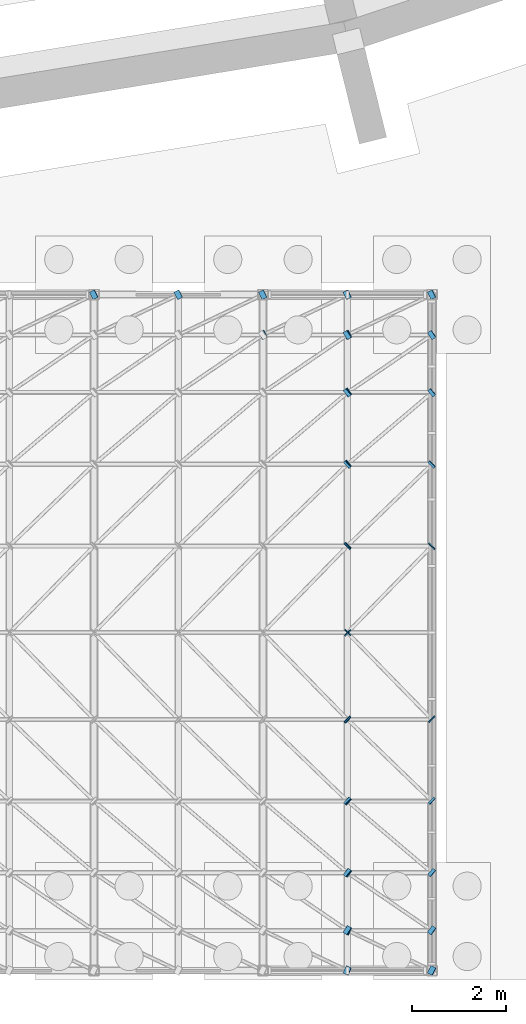
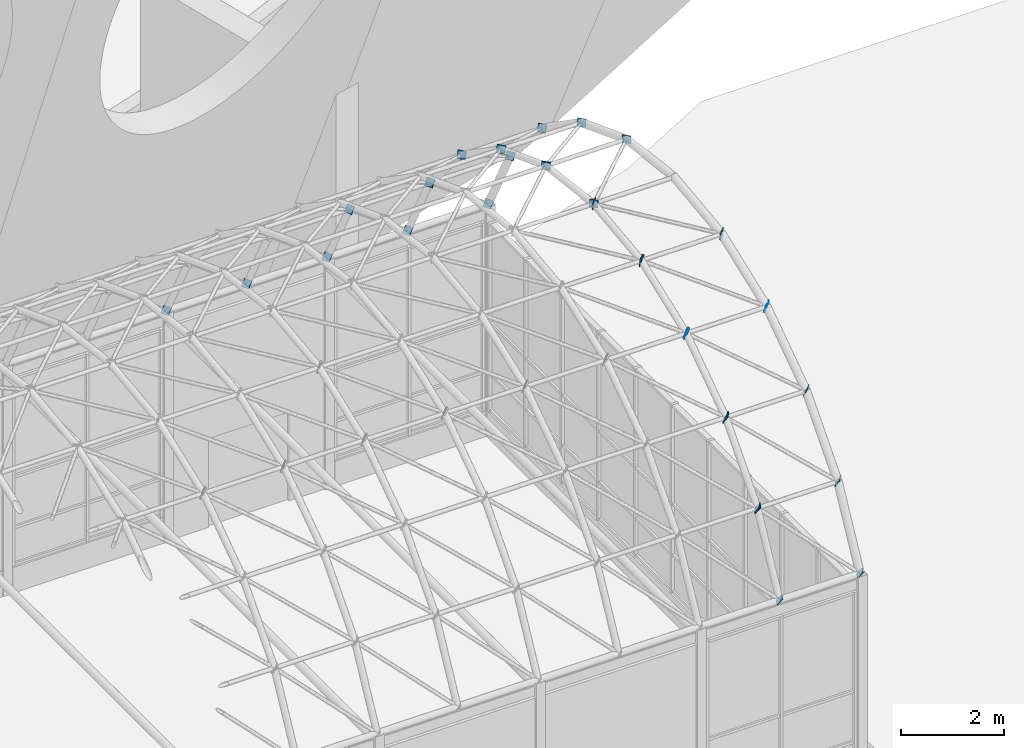
# One storey, part 105 of 116: 34 discrete accessories.
"""IFC4 building model written with IfcOpenShell, lengths in metres."""

import ifcopenshell
import ifcopenshell.guid

model = None  # the IFC model being written
_history = None  # IfcOwnerHistory: only IFC2X3 demands one
_inside = {}  # id of a spatial element -> (the spatial element, [elements in it])
_under = {}  # id of a project, library or spatial element -> (it, [spatial elements below it])
_declared = {}  # id of a project -> (the project, [libraries it declares])
_typed = {}  # id of a type object -> (the type object, [elements of that type])
_made_of = {}  # id of a material, layer set ... -> (it, [elements and type objects made of it])


def new_model(schema):
    """Start an empty IFC model of exactly this schema.

    Asked for "IFC4X3", IfcOpenShell would pick the latest addendum, in which some entities
    have other attributes; the version numbers below select the first issue.
    IFC2X3 requires an IfcOwnerHistory on every rooted entity: one is made here for all.
    """
    global model, _history
    if schema == "IFC4X3":
        model = ifcopenshell.file(schema_version=(4, 3, 0, 0))
    else:
        model = ifcopenshell.file(schema=schema)
    _inside.clear()
    _under.clear()
    _declared.clear()
    _typed.clear()
    _made_of.clear()
    _history = None
    if model.schema == "IFC2X3":
        org = make("IfcOrganization", Name="unknown")
        user = make(
            "IfcPersonAndOrganization",
            ThePerson=make("IfcPerson", FamilyName="unknown"),
            TheOrganization=org,
        )
        app = make(
            "IfcApplication",
            ApplicationDeveloper=org,
            Version="unknown",
            ApplicationFullName="unknown",
            ApplicationIdentifier="unknown",
        )
        _history = make(
            "IfcOwnerHistory",
            OwningUser=user,
            OwningApplication=app,
            ChangeAction="ADDED",
            CreationDate=0,
        )
    return model


def make(cls, **values):
    """One entity of the class cls with the attributes given. An attribute that is None is left unset."""
    return model.create_entity(
        cls, **{name: value for name, value in values.items() if value is not None}
    )


def rooted(cls, **values):
    """An entity with a GlobalId (a new one), such as an element, a storey or a relation."""
    return make(cls, GlobalId=ifcopenshell.guid.new(), OwnerHistory=_history, **values)


def si_unit(unit_type, name, prefix=None):
    """IfcSIUnit, for example si_unit("LENGTHUNIT", "METRE", prefix="MILLI")."""
    return make("IfcSIUnit", UnitType=unit_type, Prefix=prefix, Name=name)


def assignment(units):
    """IfcUnitAssignment: the units of a project."""
    return None if units is None else make("IfcUnitAssignment", Units=units)


def point(xyz):
    """IfcCartesianPoint."""
    return None if xyz is None else make("IfcCartesianPoint", Coordinates=xyz)


def direction(xyz):
    """IfcDirection."""
    return None if xyz is None else make("IfcDirection", DirectionRatios=xyz)


def frame(location, z_axis=None, x_axis=None):
    """IfcAxis2Placement3D, a coordinate frame: its origin and axes. An axis left out is left unset."""
    return make(
        "IfcAxis2Placement3D",
        Location=point(location),
        Axis=direction(z_axis),
        RefDirection=direction(x_axis),
    )


def frame_2d(location, x_axis=None):
    """IfcAxis2Placement2D, a coordinate frame in the plane: its origin and x axis."""
    return make(
        "IfcAxis2Placement2D", Location=point(location), RefDirection=direction(x_axis)
    )


def origin():
    """The frame at (0, 0, 0) with its axes left unset."""
    return frame((0.0, 0.0, 0.0))


def origin_2d():
    """The frame at (0, 0) in the plane with its x axis left unset."""
    return frame_2d((0.0, 0.0))


def place(relative_to, where):
    """IfcLocalPlacement: puts the frame where relative to a parent placement (None: the world)."""
    return make(
        "IfcLocalPlacement", PlacementRelTo=relative_to, RelativePlacement=where
    )


def context(
    kind, dimensions, precision=None, world=None, true_north=None, identifier=None
):
    """IfcGeometricRepresentationContext, for example the 3D "Model" context."""
    return make(
        "IfcGeometricRepresentationContext",
        ContextIdentifier=identifier,
        ContextType=kind,
        CoordinateSpaceDimension=dimensions,
        Precision=precision,
        WorldCoordinateSystem=world,
        TrueNorth=true_north,
    )


def subcontext(parent, identifier, kind, view, scale=None):
    """IfcGeometricRepresentationSubContext, for example "Body" below "Model"."""
    return make(
        "IfcGeometricRepresentationSubContext",
        ContextIdentifier=identifier,
        ContextType=kind,
        ParentContext=parent,
        TargetScale=scale,
        TargetView=view,
    )


def project(units=None, contexts=None):
    """IfcProject with its units and contexts."""
    return rooted(
        "IfcProject",
        Name="project",
        RepresentationContexts=contexts,
        UnitsInContext=assignment(units),
    )


def spatial(cls, under=None, at=None, **own):
    """A site, building, storey or space (cls), placed at a placement, below another one or the project."""
    s = rooted(cls, ObjectPlacement=at, **own)
    if under is not None:
        _under.setdefault(under.id(), (under, []))[1].append(s)
    return s


def profile(cls, at=None, kind="AREA", **sizes):
    """A parametric profile (cls). Its sizes go by their IFC names, for example OverallWidth=200.0."""
    return make(cls, ProfileType=kind, Position=at, **sizes)


def rectangle(**sizes):
    """IfcRectangleProfileDef."""
    return profile("IfcRectangleProfileDef", **sizes)


def extrude(swept, where, along, depth):
    """IfcExtrudedAreaSolid: the profile swept, set in the frame where, extruded along a direction by depth."""
    return make(
        "IfcExtrudedAreaSolid",
        SweptArea=swept,
        Position=where,
        ExtrudedDirection=direction(along),
        Depth=depth,
    )


def shape(context_of_items, identifier, shape_type, items):
    """IfcShapeRepresentation: the items that make up one representation, for example the "Body"."""
    return make(
        "IfcShapeRepresentation",
        ContextOfItems=context_of_items,
        RepresentationIdentifier=identifier,
        RepresentationType=shape_type,
        Items=items,
    )


def material(Name=None, Category=None):
    """IfcMaterial."""
    return make("IfcMaterial", Name=Name, Category=Category)


def material_profile(
    of_material, cross_section, Name=None, Category=None, Priority=None
):
    """IfcMaterialProfile: a cross section and its material."""
    return make(
        "IfcMaterialProfile",
        Name=Name,
        Material=of_material,
        Profile=cross_section,
        Priority=Priority,
        Category=Category,
    )


def profile_set(profiles, Name=None, composite=None):
    """IfcMaterialProfileSet."""
    return make(
        "IfcMaterialProfileSet",
        Name=Name,
        MaterialProfiles=profiles,
        CompositeProfile=composite,
    )


def made_of(thing, what):
    """Note that an element or type object is made of a material, layer set ...; save() writes the relation."""
    if what is not None:
        _made_of.setdefault(what.id(), (what, []))[1].append(thing)
    return thing


def type_object(cls, material=None, **own):
    """A type object (cls), such as IfcWallType, which elements share."""
    return made_of(rooted(cls, **own), material)


def element(
    cls,
    number,
    at=None,
    inside=None,
    cuts=None,
    type_object=None,
    material=None,
    context=None,
    identifier="Body",
    shape_type=None,
    held_by="IfcProductDefinitionShape",
    body=None,
    shapes=None,
    **own,
):
    """One element of the class cls, such as IfcWall. Its Tag is "e" and its number.

    at: its placement. inside: the storey or other place that contains it. cuts: it is an
    opening in that element (IfcRelVoidsElement). A single representation is given by context,
    identifier, shape_type and body (its items); several are given by shapes. held_by: the class
    of the entity that holds the representations. save() writes the other relations.
    """
    e = rooted(cls, Tag="e%d" % number, ObjectPlacement=at, **own)
    if body is not None:
        shapes = [shape(context, identifier, shape_type, body)]
    if shapes is not None:
        e.Representation = make(held_by, Representations=shapes)
    if inside is not None:
        _inside.setdefault(inside.id(), (inside, []))[1].append(e)
    if cuts is not None:
        rooted(
            "IfcRelVoidsElement", RelatingBuildingElement=cuts, RelatedOpeningElement=e
        )
    if type_object is not None:
        _typed.setdefault(type_object.id(), (type_object, []))[1].append(e)
    return made_of(e, material)


def aggregate(whole, parts):
    """IfcRelAggregates: a whole, such as a stair, and the parts it consists of."""
    return rooted("IfcRelAggregates", RelatingObject=whole, RelatedObjects=parts)


def save(model, path):
    """Write the relations noted so far, then the file.

    IfcRelAggregates (storeys below a building ...), IfcRelContainedInSpatialStructure (elements
    in a storey), IfcRelDefinesByType, IfcRelAssociatesMaterial and IfcRelDeclares: one each for
    every whole, place, type object, material and project.
    """
    for whole, parts in _under.values():
        aggregate(whole, parts)
    for where, things in _inside.values():
        rooted(
            "IfcRelContainedInSpatialStructure",
            RelatedElements=things,
            RelatingStructure=where,
        )
    for kind, things in _typed.values():
        rooted("IfcRelDefinesByType", RelatedObjects=things, RelatingType=kind)
    for what, things in _made_of.values():
        rooted("IfcRelAssociatesMaterial", RelatedObjects=things, RelatingMaterial=what)
    for by, libraries in _declared.values():
        rooted("IfcRelDeclares", RelatingContext=by, RelatedDefinitions=libraries)
    model.write(path)


model = new_model("IFC4")

# Units and contexts
model_context = context("Model", 3, precision=1e-05, world=origin(), true_north=direction((0.0, 1.0)))
body_context = subcontext(model_context, "Body", "Model", "MODEL_VIEW")
ifc_project = project(units=[si_unit("LENGTHUNIT", "METRE"), si_unit("AREAUNIT", "SQUARE_METRE"), si_unit("VOLUMEUNIT", "CUBIC_METRE"), si_unit("PLANEANGLEUNIT", "RADIAN"), si_unit("MASSUNIT", "GRAM", prefix="KILO")], contexts=[model_context])

# Site, building, storey
site_placement = place(None, origin())
site = spatial("IfcSite", under=ifc_project, at=site_placement, CompositionType="ELEMENT")
building_placement = place(site_placement, origin())
building = spatial("IfcBuilding", under=site, at=building_placement, Name="Ardhachandra Cancer Care Centre", CompositionType="ELEMENT")
storey_placement = place(building_placement, origin())
storey = spatial("IfcBuildingStorey", under=building, at=storey_placement, Name="L00", CompositionType="ELEMENT", Elevation=0.0)

# Discrete accessories
ifc_material = material(Name="Steel E250 (IS 2062)", Category="steel")
ifc_material_profile = material_profile(ifc_material, rectangle(XDim=0.176025390625, YDim=0.176025390625, at=origin_2d()), Name="PL 176x176x12")
ifc_profile_set = profile_set([ifc_material_profile], Name="Steel E250 (IS 2062)")
discrete_accessory_type = type_object("IfcDiscreteAccessoryType", Name="Diagonal end plate 176 x 176 x 12", PredefinedType="BRACKET", material=ifc_profile_set)
for number, where, z_axis, x_axis, name in (
    (1, (85.199951171875, 21.60009765625, 5.39990234375), (-0.684255618403, -0.342127809202, 0.644005287909), (0.4472135955, -0.894427191, 0.0), "Diagonal end plate Pavilion shell diagonal 11-09 2"),
    (2, (87.0, 21.60009765625, 5.39990234375), (-0.684255618403, -0.342127809202, 0.644005287909), (0.4472135955, -0.894427191, 0.0), "Diagonal end plate Pavilion shell diagonal 12-09 2"),
    (3, (88.800048828125, 21.60009765625, 5.39990234375), (-0.684255618403, -0.342127809202, 0.644005287909), (0.4472135955, -0.894427191, 0.0), "Diagonal end plate Pavilion shell diagonal 13-09 2"),
    (4, (90.60009765625, 7.199951171875, 5.39990234375), (-0.699301048253, 0.319680479201, 0.639360958403), (-0.415759760268, -0.909474475586, 0.0), "Diagonal end plate Pavilion shell diagonal 15-00 1"),
    (5, (90.60009765625, 8.056396484375, 7.05224609375), (-0.695837425927, 0.477145663493, 0.536788871429), (-0.565528355552, -0.824728851846, 0.0), "Diagonal end plate Pavilion shell diagonal 15-01 1"),
    (6, (90.60009765625, 9.284912109375, 8.4501953125), (-0.704809108885, 0.583984690219, 0.40274806222), (-0.63801786475, -0.770021560906, 0.0), "Diagonal end plate Pavilion shell diagonal 15-02 1"),
    (7, (90.60009765625, 10.813720703125, 9.51171875), (-0.702392207194, 0.66225550964, 0.260888534101), (-0.686012868689, -0.727589406185, 0.0), "Diagonal end plate Pavilion shell diagonal 15-03 1"),
    (8, (90.60009765625, 12.552734375, 10.174560546875), (-0.703526470681, 0.703526470681, 0.100503781526), (-0.707106781187, -0.707106781187, 0.0), "Diagonal end plate Pavilion shell diagonal 15-04 1"),
    (9, (90.60009765625, 16.247314453125, 10.174560546875), (-0.703526470681, -0.703526470681, 0.100503781526), (0.707106781187, -0.707106781187, 0.0), "Diagonal end plate Pavilion shell diagonal 14-05 2"),
    (10, (90.60009765625, 17.986328125, 9.51171875), (-0.702392207194, -0.66225550964, 0.260888534101), (0.686012868689, -0.727589406185, 0.0), "Diagonal end plate Pavilion shell diagonal 14-06 2"),
    (11, (90.60009765625, 19.514892578125, 8.4501953125), (-0.704809108885, -0.583984690219, 0.40274806222), (0.63801786475, -0.770021560906, 0.0), "Diagonal end plate Pavilion shell diagonal 14-07 2"),
    (12, (90.60009765625, 20.74365234375, 7.05224609375), (-0.695837425927, -0.477145663493, 0.536788871429), (0.565528355552, -0.824728851846, 0.0), "Diagonal end plate Pavilion shell diagonal 14-08 2"),
):
    element("IfcDiscreteAccessory", number, at=place(storey_placement, frame(where, z_axis=z_axis, x_axis=x_axis)), inside=storey, type_object=discrete_accessory_type, Name=name, PredefinedType="BRACKET", context=body_context, shape_type="SweptSolid", body=[
        extrude(rectangle(XDim=0.176025390625, YDim=0.176025390625, at=origin_2d()), origin(), (0.0, 0.0, 1.0), 0.01220703125),
    ])
discrete_accessory_1_placement = place(storey_placement, frame((88.800048828125, 20.74365234375, 7.05224609375), z_axis=(0.697959218879, 0.328451397119, -0.636374581919), x_axis=(-0.42579703633, 0.904818702201, 0.0)))
element("IfcDiscreteAccessory", 13, at=discrete_accessory_1_placement, inside=storey, type_object=discrete_accessory_type, Name="Diagonal end plate Pavilion shell diagonal 14-09 1", PredefinedType="BRACKET", context=body_context, shape_type="SweptSolid", body=[
    extrude(rectangle(XDim=0.176025390625, YDim=0.176025390625, at=origin_2d()), origin(), (0.0, 0.0, 1.0), 0.011962890625),
])
discrete_accessory_2_placement = place(storey_placement, frame((90.60009765625, 21.60009765625, 5.39990234375), z_axis=(-0.694739889871, -0.337445089366, 0.635190756454), x_axis=(0.436903962737, -0.899508158576, 0.0)))
element("IfcDiscreteAccessory", 14, at=discrete_accessory_2_placement, inside=storey, type_object=discrete_accessory_type, Name="Diagonal end plate Pavilion shell diagonal 14-09 2", PredefinedType="BRACKET", context=body_context, shape_type="SweptSolid", body=[
    extrude(rectangle(XDim=0.176025390625, YDim=0.176025390625, at=origin_2d()), origin(), (0.0, 0.0, 1.0), 0.01220703125),
])
for number, where, z_axis, x_axis, name in (
    (15, (92.39990234375, 7.199951171875, 5.39990234375), (-0.688874763702, 0.324176359389, 0.648352718778), (-0.42579703633, -0.904818702201, 0.0), "Diagonal end plate Pavilion shell diagonal 16-00 1"),
    (16, (90.60009765625, 8.056396484375, 7.05224609375), (0.697959218879, -0.328451397119, -0.636374581919), (0.42579703633, 0.904818702201, 0.0), "Diagonal end plate Pavilion shell diagonal 16-00 2"),
):
    element("IfcDiscreteAccessory", number, at=place(storey_placement, frame(where, z_axis=z_axis, x_axis=x_axis)), inside=storey, type_object=discrete_accessory_type, Name=name, PredefinedType="BRACKET", context=body_context, shape_type="SweptSolid", body=[
        extrude(rectangle(XDim=0.176025390625, YDim=0.176025390625, at=origin_2d()), origin(), (0.0, 0.0, 1.0), 0.011962890625),
    ])
discrete_accessory_3_placement = place(storey_placement, frame((92.39990234375, 8.056396484375, 7.05224609375), z_axis=(-0.685366874707, 0.483788382146, 0.544261929915), x_axis=(-0.576683197599, -0.816967863265, 0.0)))
element("IfcDiscreteAccessory", 17, at=discrete_accessory_3_placement, inside=storey, type_object=discrete_accessory_type, Name="Diagonal end plate Pavilion shell diagonal 16-01 1", PredefinedType="BRACKET", context=body_context, shape_type="SweptSolid", body=[
    extrude(rectangle(XDim=0.176025390625, YDim=0.176025390625, at=origin_2d()), origin(), (0.0, 0.0, 1.0), 0.01220703125),
])
for number, where, z_axis, x_axis, name in (
    (18, (90.60009765625, 9.284912109375, 8.4501953125), (0.692006675861, -0.468122163083, -0.549534713184), (0.560309367704, 0.828283413128, 0.0), "Diagonal end plate Pavilion shell diagonal 16-01 2"),
    (19, (92.39990234375, 9.284912109375, 8.4501953125), (-0.694456264675, 0.592330343399, 0.408503685103), (-0.648946606083, -0.760833951959, 0.0), "Diagonal end plate Pavilion shell diagonal 16-02 1"),
    (20, (90.60009765625, 10.813720703125, 9.51171875), (0.694456264675, -0.592330343399, -0.408503685103), (0.648946606083, 0.760833951959, 0.0), "Diagonal end plate Pavilion shell diagonal 16-02 2"),
    (21, (92.39990234375, 10.813720703125, 9.51171875), (-0.692006675861, 0.671653538336, 0.264590787829), (-0.696475377169, -0.717580691628, 0.0), "Diagonal end plate Pavilion shell diagonal 16-03 1"),
    (22, (90.60009765625, 12.552734375, 10.174560546875), (0.695618049284, -0.675158694893, -0.245512252688), (0.696475377169, 0.717580691628, 0.0), "Diagonal end plate Pavilion shell diagonal 16-03 2"),
    (23, (92.39990234375, 12.552734375, 10.174560546875), (-0.693156189404, 0.713543136151, 0.101934733736), (-0.717279380859, -0.696785684263, 0.0), "Diagonal end plate Pavilion shell diagonal 16-04 1"),
    (24, (90.60009765625, 14.39990234375, 10.39990234375), (0.694456264675, -0.71488144893, -0.081700737021), (0.717279380859, 0.696785684263, 0.0), "Diagonal end plate Pavilion shell diagonal 16-04 2"),
    (25, (90.60009765625, 14.39990234375, 10.39990234375), (0.694456264675, 0.71488144893, -0.081700737021), (-0.717279380859, 0.696785684263, 0.0), "Diagonal end plate Pavilion shell diagonal 15-05 1"),
    (26, (92.39990234375, 16.247314453125, 10.174560546875), (-0.693156189404, -0.713543136151, 0.101934733736), (0.717279380859, -0.696785684263, 0.0), "Diagonal end plate Pavilion shell diagonal 15-05 2"),
    (27, (90.60009765625, 16.247314453125, 10.174560546875), (0.695618049284, 0.675158694893, -0.245512252688), (-0.696475377169, 0.717580691628, 0.0), "Diagonal end plate Pavilion shell diagonal 15-06 1"),
    (28, (92.39990234375, 17.986328125, 9.51171875), (-0.692006675861, -0.671653538336, 0.264590787829), (0.696475377169, -0.717580691628, 0.0), "Diagonal end plate Pavilion shell diagonal 15-06 2"),
    (29, (90.60009765625, 17.986328125, 9.51171875), (0.694456264675, 0.592330343399, -0.408503685103), (-0.648946606083, 0.760833951959, 0.0), "Diagonal end plate Pavilion shell diagonal 15-07 1"),
    (30, (92.39990234375, 19.514892578125, 8.4501953125), (-0.694456264675, -0.592330343399, 0.408503685103), (0.648946606083, -0.760833951959, 0.0), "Diagonal end plate Pavilion shell diagonal 15-07 2"),
):
    element("IfcDiscreteAccessory", number, at=place(storey_placement, frame(where, z_axis=z_axis, x_axis=x_axis)), inside=storey, type_object=discrete_accessory_type, Name=name, PredefinedType="BRACKET", context=body_context, shape_type="SweptSolid", body=[
        extrude(rectangle(XDim=0.176025390625, YDim=0.176025390625, at=origin_2d()), origin(), (0.0, 0.0, 1.0), 0.011962890625),
    ])
for number, where, z_axis, x_axis, name in (
    (31, (90.60009765625, 19.514892578125, 8.4501953125), (0.685366874707, 0.483788382146, -0.544261929915), (-0.576683197599, 0.816967863265, 0.0), "Diagonal end plate Pavilion shell diagonal 15-08 1"),
    (32, (92.39990234375, 20.74365234375, 7.05224609375), (-0.685366874707, -0.483788382146, 0.544261929915), (0.576683197599, -0.816967863265, 0.0), "Diagonal end plate Pavilion shell diagonal 15-08 2"),
):
    element("IfcDiscreteAccessory", number, at=place(storey_placement, frame(where, z_axis=z_axis, x_axis=x_axis)), inside=storey, type_object=discrete_accessory_type, Name=name, PredefinedType="BRACKET", context=body_context, shape_type="SweptSolid", body=[
        extrude(rectangle(XDim=0.176025390625, YDim=0.176025390625, at=origin_2d()), origin(), (0.0, 0.0, 1.0), 0.01220703125),
    ])
discrete_accessory_4_placement = place(storey_placement, frame((90.60009765625, 20.74365234375, 7.05224609375), z_axis=(0.697959218879, 0.328451397119, -0.636374581919), x_axis=(-0.42579703633, 0.904818702201, 0.0)))
element("IfcDiscreteAccessory", 33, at=discrete_accessory_4_placement, inside=storey, type_object=discrete_accessory_type, Name="Diagonal end plate Pavilion shell diagonal 15-09 1", PredefinedType="BRACKET", context=body_context, shape_type="SweptSolid", body=[
    extrude(rectangle(XDim=0.176025390625, YDim=0.176025390625, at=origin_2d()), origin(), (0.0, 0.0, 1.0), 0.011962890625),
])
discrete_accessory_5_placement = place(storey_placement, frame((92.39990234375, 21.60009765625, 5.39990234375), z_axis=(-0.684255618403, -0.342127809202, 0.644005287909), x_axis=(0.4472135955, -0.894427191, 0.0)))
element("IfcDiscreteAccessory", 34, at=discrete_accessory_5_placement, inside=storey, type_object=discrete_accessory_type, Name="Diagonal end plate Pavilion shell diagonal 15-09 2", PredefinedType="BRACKET", context=body_context, shape_type="SweptSolid", body=[
    extrude(rectangle(XDim=0.176025390625, YDim=0.176025390625, at=origin_2d()), origin(), (0.0, 0.0, 1.0), 0.01220703125),
])

save(model, "model.ifc")
